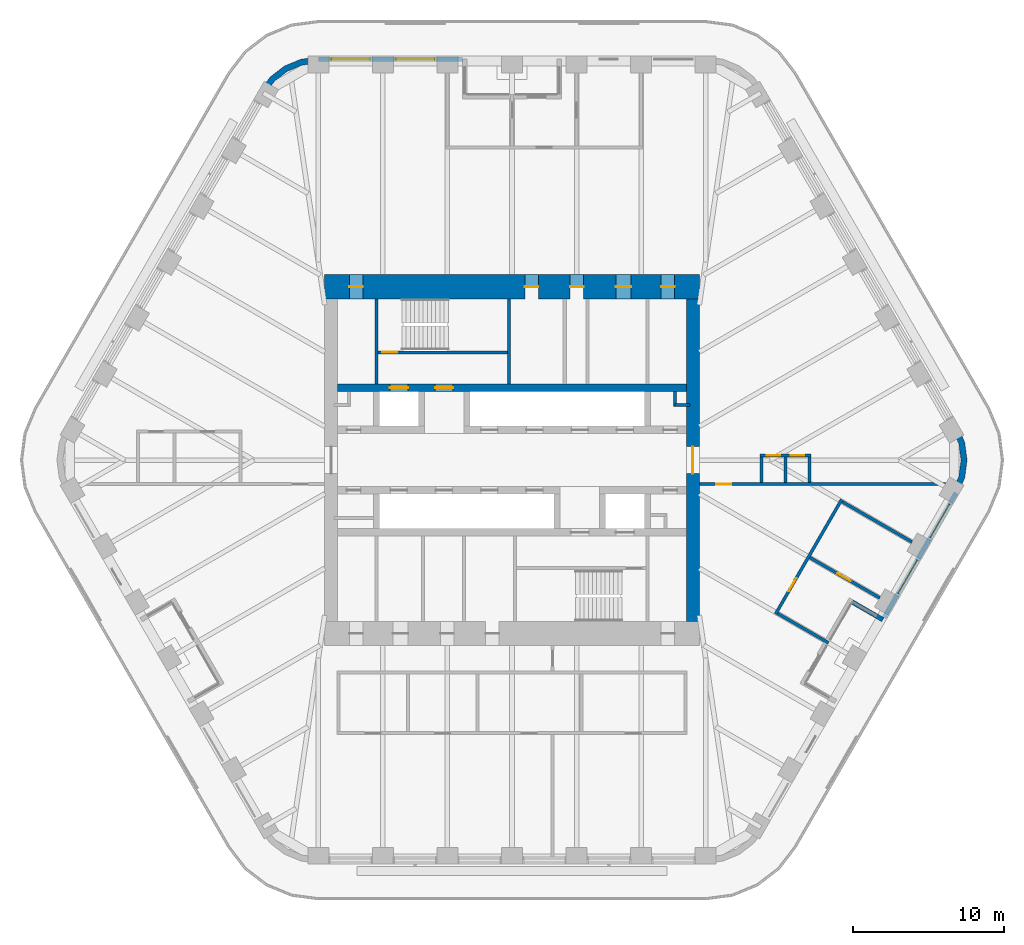
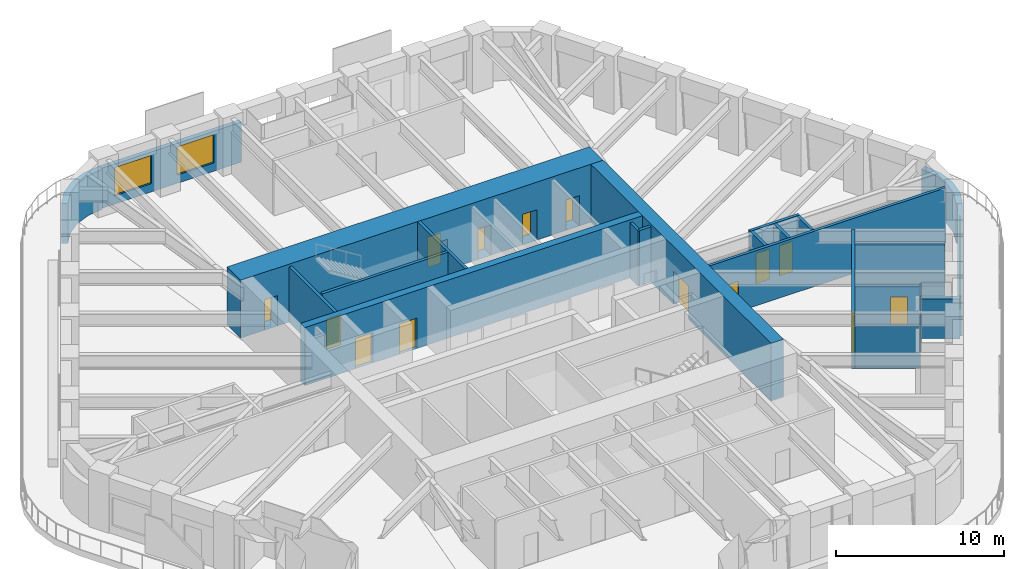
# One storey, part 15 of 19: 22 walls, 14 doors, 4 windows, 18 openings.
"""IFC4 building model written with IfcOpenShell, lengths in metres."""

from ifc_helpers import new_model, si_unit, direction, frame, frame_2d, origin, place, context, subcontext, project, spatial, polyline, rectangle, outline, extrude, material, layer, layer_set, type_object, element, fill, save


model = new_model("IFC4")

# Units and contexts
model_context = context("Model", 3, precision=1e-05, world=origin(), true_north=direction((0.0, 1.0)))
body_context = subcontext(model_context, "Body", "Model", "MODEL_VIEW")
ifc_project = project(units=[si_unit("LENGTHUNIT", "METRE"), si_unit("AREAUNIT", "SQUARE_METRE"), si_unit("VOLUMEUNIT", "CUBIC_METRE"), si_unit("PLANEANGLEUNIT", "RADIAN"), si_unit("MASSUNIT", "GRAM", prefix="KILO")], contexts=[model_context])

# Site, building, storey
site_placement = place(None, origin())
site = spatial("IfcSite", under=ifc_project, at=site_placement, CompositionType="ELEMENT")
building_placement = place(site_placement, origin())
building = spatial("IfcBuilding", under=site, at=building_placement, Name="Tarfa Lantern Tower", CompositionType="ELEMENT")
storey_placement = place(building_placement, frame((0.0, 0.0, 328.300048828125)))
storey = spatial("IfcBuildingStorey", under=building, at=storey_placement, Name="L74", CompositionType="ELEMENT", Elevation=328.300048828125)

# Wall, openings, windows
ifc_material_1 = material(Name="Limestone cladding on blockwork", Category="masonry")
ifc_layer_1 = layer(ifc_material_1, 0.300048828125)
ifc_layer_set_1 = layer_set([ifc_layer_1], Name="EW1 STONE-CLAD WALL 300")
wall_type_1 = type_object("IfcWallType", Name="EW1 STONE-CLAD WALL 300", PredefinedType="SOLIDWALL", material=ifc_layer_set_1)
wall_1_placement = place(storey_placement, frame((-3.281982421875, 26.60009765625, 0.0), z_axis=(0.0, 0.0, 1.0), x_axis=(-1.0, 0.0, 0.0)))
wall_1 = element("IfcWall", 1, at=wall_1_placement, inside=storey, type_object=wall_type_1, Name="Stone wall NB", PredefinedType="SOLIDWALL", context=body_context, shape_type="SweptSolid", body=[
    extrude(rectangle(XDim=9.56396484375, YDim=0.300048828125, at=frame_2d((4.781982421875, 0.0))), origin(), (0.0, 0.0, 1.0), 2.89990234375),
])
opening_1_placement = place(wall_1_placement, frame((1.865966796875, 0.0, 0.60009765625)))
opening_1 = element("IfcOpeningElement", 2, at=opening_1_placement, cuts=wall_1, Name="Opening W17", PredefinedType="OPENING", context=body_context, shape_type="SweptSolid", body=[
    extrude(rectangle(XDim=2.550048828125, YDim=2.050048828125, at=frame_2d((1.27490234375, 1.02490234375))), frame((0.0, 0.159912109375, 0.0), z_axis=(0.0, -1.0, 0.0), x_axis=(1.0, 0.0, 0.0)), (0.0, 0.0, 1.0), 0.320068359375),
])
opening_2_placement = place(wall_1_placement, frame((6.14794921875, 0.0, 0.60009765625)))
opening_2 = element("IfcOpeningElement", 3, at=opening_2_placement, cuts=wall_1, Name="Opening W17", PredefinedType="OPENING", context=body_context, shape_type="SweptSolid", body=[
    extrude(rectangle(XDim=2.550048828125, YDim=2.050048828125, at=frame_2d((1.27490234375, 1.02490234375))), frame((0.0, 0.159912109375, 0.0), z_axis=(0.0, -1.0, 0.0), x_axis=(1.0, 0.0, 0.0)), (0.0, 0.0, 1.0), 0.320068359375),
])
ifc_material_2 = material(Name="Aluminium frame, double glazed", Category="aluminium")
window_type = type_object("IfcWindowType", Name="W17 FULL-HEIGHT GLAZING 2550x2050", PartitioningType="SINGLE_PANEL", PredefinedType="WINDOW", material=ifc_material_2)
window_1_placement = place(opening_1_placement, origin())
window_1 = element("IfcWindow", 4, at=window_1_placement, inside=storey, type_object=window_type, Name="Window NB 1", OverallHeight=2.050048828125, OverallWidth=2.550048828125, PartitioningType="SINGLE_PANEL", PredefinedType="WINDOW", context=body_context, shape_type="SweptSolid", body=[
    extrude(rectangle(XDim=2.550048828125, YDim=2.050048828125, at=frame_2d((1.27490234375, 1.02490234375))), frame((0.0, 0.030029296875, 0.0), z_axis=(0.0, -1.0, 0.0), x_axis=(1.0, 0.0, 0.0)), (0.0, 0.0, 1.0), 0.06005859375),
])
fill(opening_1, window_1)
window_2_placement = place(opening_2_placement, origin())
window_2 = element("IfcWindow", 5, at=window_2_placement, inside=storey, type_object=window_type, Name="Window NB 2", OverallHeight=2.050048828125, OverallWidth=2.550048828125, PartitioningType="SINGLE_PANEL", PredefinedType="WINDOW", context=body_context, shape_type="SweptSolid", body=[
    extrude(rectangle(XDim=2.550048828125, YDim=2.050048828125, at=frame_2d((1.27490234375, 1.02490234375))), frame((0.0, 0.030029296875, 0.0), z_axis=(0.0, -1.0, 0.0), x_axis=(1.0, 0.0, 0.0)), (0.0, 0.0, 1.0), 0.06005859375),
])
fill(opening_2, window_2)

wall_2_placement = place(storey_placement, frame((24.67724609375, -10.457763671875, 0.0), z_axis=(0.0, 0.0, 1.0), x_axis=(0.499996453679, 0.866027451244, 0.0)))
wall_2 = element("IfcWall", 6, at=wall_2_placement, inside=storey, type_object=wall_type_1, Name="Stone wall SEB", PredefinedType="SOLIDWALL", context=body_context, shape_type="SweptSolid", body=[
    extrude(rectangle(XDim=9.56396484375, YDim=0.300048828125, at=frame_2d((4.781982421875, 0.0))), origin(), (0.0, 0.0, 1.0), 2.89990234375),
])
opening_3_placement = place(wall_2_placement, frame((1.865966796875, 0.0, 0.60009765625)))
opening_3 = element("IfcOpeningElement", 7, at=opening_3_placement, cuts=wall_2, Name="Opening W17", PredefinedType="OPENING", context=body_context, shape_type="SweptSolid", body=[
    extrude(rectangle(XDim=2.550048828125, YDim=2.050048828125, at=frame_2d((1.27490234375, 1.02490234375))), frame((0.0, 0.159912109375, 0.0), z_axis=(0.0, -1.0, 0.0), x_axis=(1.0, 0.0, 0.0)), (0.0, 0.0, 1.0), 0.320068359375),
])
opening_4_placement = place(wall_2_placement, frame((6.14794921875, 0.0, 0.60009765625)))
opening_4 = element("IfcOpeningElement", 8, at=opening_4_placement, cuts=wall_2, Name="Opening W17", PredefinedType="OPENING", context=body_context, shape_type="SweptSolid", body=[
    extrude(rectangle(XDim=2.550048828125, YDim=2.050048828125, at=frame_2d((1.27490234375, 1.02490234375))), frame((0.0, 0.159912109375, 0.0), z_axis=(0.0, -1.0, 0.0), x_axis=(1.0, 0.0, 0.0)), (0.0, 0.0, 1.0), 0.320068359375),
])
window_3_placement = place(opening_3_placement, origin())
window_3 = element("IfcWindow", 9, at=window_3_placement, inside=storey, type_object=window_type, Name="Window SEB 1", OverallHeight=2.050048828125, OverallWidth=2.550048828125, PartitioningType="SINGLE_PANEL", PredefinedType="WINDOW", context=body_context, shape_type="SweptSolid", body=[
    extrude(rectangle(XDim=2.550048828125, YDim=2.050048828125, at=frame_2d((1.27490234375, 1.02490234375))), frame((0.0, 0.030029296875, 0.0), z_axis=(0.0, -1.0, 0.0), x_axis=(1.0, 0.0, 0.0)), (0.0, 0.0, 1.0), 0.06005859375),
])
fill(opening_3, window_3)
window_4_placement = place(opening_4_placement, origin())
window_4 = element("IfcWindow", 10, at=window_4_placement, inside=storey, type_object=window_type, Name="Window SEB 2", OverallHeight=2.050048828125, OverallWidth=2.550048828125, PartitioningType="SINGLE_PANEL", PredefinedType="WINDOW", context=body_context, shape_type="SweptSolid", body=[
    extrude(rectangle(XDim=2.550048828125, YDim=2.050048828125, at=frame_2d((1.27490234375, 1.02490234375))), frame((0.0, 0.030029296875, 0.0), z_axis=(0.0, -1.0, 0.0), x_axis=(1.0, 0.0, 0.0)), (0.0, 0.0, 1.0), 0.06005859375),
])
fill(opening_4, window_4)

# Walls
wall_3_placement = place(storey_placement, frame((24.602294921875, -10.587646484375, 0.0), z_axis=(0.0, 0.0, 1.0), x_axis=(-0.866016039709, 0.500016218704, 0.0)))
element("IfcWall", 11, at=wall_3_placement, inside=storey, type_object=wall_type_1, Name="Terrace return SE 2", PredefinedType="SOLIDWALL", context=body_context, shape_type="SweptSolid", body=[
    extrude(rectangle(XDim=2.35009765625, YDim=0.300048828125, at=frame_2d((1.175048828125, 0.0))), origin(), (0.0, 0.0, 1.0), 2.89990234375),
])
ifc_layer_2 = layer(ifc_material_1, 0.39990234375)
ifc_layer_set_2 = layer_set([ifc_layer_2], Name="EW2 CURVED STONE CORNER 400")
wall_type_2 = type_object("IfcWallType", Name="EW2 CURVED STONE CORNER 400", PredefinedType="SOLIDWALL", material=ifc_layer_set_2)
wall_4_placement = place(storey_placement, origin())
element("IfcWall", 12, at=wall_4_placement, inside=storey, type_object=wall_type_2, Name="Stone corner N-NW", PredefinedType="SOLIDWALL", context=body_context, shape_type="SweptSolid", body=[
    extrude(outline(polyline([(-12.845947265625, 26.75), (-14.0107421875, 26.5966796875), (-15.095947265625, 26.147216796875), (-16.028076171875, 25.431884765625), (-16.7431640625, 24.5), (-16.396728515625, 24.300048828125), (-15.7451171875, 25.149169921875), (-14.89599609375, 25.80078125), (-13.9072265625, 26.210205078125), (-12.845947265625, 26.35009765625), (-12.845947265625, 26.75)])), origin(), (0.0, 0.0, 1.0), 2.89990234375),
])
wall_5_placement = place(storey_placement, origin())
element("IfcWall", 13, at=wall_5_placement, inside=storey, type_object=wall_type_2, Name="Stone corner SE-NE", PredefinedType="SOLIDWALL", context=body_context, shape_type="SweptSolid", body=[
    extrude(outline(polyline([(29.589111328125, -2.25), (30.038818359375, -1.164794921875), (30.192138671875, 0.0), (30.038818359375, 1.164794921875), (29.589111328125, 2.25), (29.24267578125, 2.050048828125), (29.65234375, 1.061279296875), (29.7919921875, 0.0), (29.65234375, -1.061279296875), (29.24267578125, -2.050048828125), (29.589111328125, -2.25)])), origin(), (0.0, 0.0, 1.0), 2.89990234375),
])
ifc_material_3 = material(Name="Concrete blockwork", Category="masonry")
ifc_layer_3 = layer(ifc_material_3, 0.199951171875)
ifc_layer_set_3 = layer_set([ifc_layer_3], Name="IW1 BLOCKWORK PARTITION 200 EI 120")
wall_type_3 = type_object("IfcWallType", Name="IW1 BLOCKWORK PARTITION 200 EI 120", PredefinedType="PARTITIONING", material=ifc_layer_set_3)
wall_6_placement = place(storey_placement, frame((-9.0, 5.050048828125, 0.0), z_axis=(0.0, 0.0, 1.0), x_axis=(0.0, 1.0, 0.0)))
element("IfcWall", 14, at=wall_6_placement, inside=storey, type_object=wall_type_3, Name="Core partition", PredefinedType="PARTITIONING", context=body_context, shape_type="SweptSolid", body=[
    extrude(rectangle(XDim=5.64990234375, YDim=0.199951171875, at=frame_2d((2.824951171875, 0.0))), origin(), (0.0, 0.0, 1.0), 4.0),
])
for number, where, z_axis, x_axis, name in (
    (15, (10.800048828125, 3.64990234375, 0.0), (0.0, 0.0, 1.0), (1.0, 0.0, 0.0), "Core partition"),
    (16, (10.800048828125, 3.550048828125, 0.0), (0.0, 0.0, 1.0), (0.0, 1.0, 0.0), "Core partition"),
):
    element("IfcWall", number, at=place(storey_placement, frame(where, z_axis=z_axis, x_axis=x_axis)), inside=storey, type_object=wall_type_3, Name=name, PredefinedType="PARTITIONING", context=body_context, shape_type="SweptSolid", body=[
        extrude(rectangle(XDim=1.0, YDim=0.199951171875, at=frame_2d((0.5, 0.0))), origin(), (0.0, 0.0, 1.0), 4.0),
    ])

# Wall, opening, door
ifc_material_4 = material(Name="Gypsum board on steel studs", Category="steel")
ifc_layer_4 = layer(ifc_material_4, 0.2099609375)
ifc_layer_set_4 = layer_set([ifc_layer_4], Name="IW2 ACOUSTIC PARTITION 200")
wall_type_4 = type_object("IfcWallType", Name="IW2 ACOUSTIC PARTITION 200", PredefinedType="PARTITIONING", material=ifc_layer_set_4)
wall_7_placement = place(storey_placement, frame((17.487060546875, -10.211669921875, 0.0), z_axis=(0.0, 0.0, 1.0), x_axis=(0.500006995557, 0.86602136486, 0.0)))
wall_7 = element("IfcWall", 17, at=wall_7_placement, inside=storey, type_object=wall_type_4, Name="Partition", PredefinedType="PARTITIONING", context=body_context, shape_type="SweptSolid", body=[
    extrude(rectangle(XDim=8.763916015625, YDim=0.199951171875, at=frame_2d((4.3818359375, 0.0))), origin(), (0.0, 0.0, 1.0), 4.0),
])
opening_5_placement = place(wall_7_placement, frame((1.740966796875, 0.0, 0.0)))
opening_5 = element("IfcOpeningElement", 18, at=opening_5_placement, cuts=wall_7, Name="Opening D24", PredefinedType="OPENING", context=body_context, shape_type="SweptSolid", body=[
    extrude(rectangle(XDim=1.0, YDim=2.199951171875, at=frame_2d((0.5, 1.10009765625))), frame((0.0, 0.10986328125, 0.0), z_axis=(0.0, -1.0, 0.0), x_axis=(1.0, 0.0, 0.0)), (0.0, 0.0, 1.0), 0.219970703125),
])
ifc_material_5 = material(Name="Timber door", Category="wood")
door_type_1 = type_object("IfcDoorType", Name="DR1 ROOM DOOR 1000x2200", OperationType="SINGLE_SWING_LEFT", PredefinedType="DOOR", material=ifc_material_5)
door_1_placement = place(opening_5_placement, frame((1.0, 0.0, 0.0), z_axis=(0.0, 0.0, 1.0), x_axis=(-1.0, 0.0, 0.0)))
door_1 = element("IfcDoor", 19, at=door_1_placement, inside=storey, type_object=door_type_1, Name="PA area door", OperationType="SINGLE_SWING_LEFT", OverallHeight=2.199951171875, OverallWidth=1.0, PredefinedType="DOOR", context=body_context, shape_type="SweptSolid", body=[
    extrude(rectangle(XDim=1.0, YDim=2.199951171875, at=frame_2d((0.5, 1.10009765625))), frame((0.0, 0.02490234375, 0.0), z_axis=(0.0, -1.0, 0.0), x_axis=(1.0, 0.0, 0.0)), (0.0, 0.0, 1.0), 0.050048828125),
])
fill(opening_5, door_1)

# Wall
wall_8_placement = place(storey_placement, frame((17.62353515625, -10.175048828125, 0.0), z_axis=(0.0, 0.0, 1.0), x_axis=(0.86603551244, -0.499982490886, 0.0)))
element("IfcWall", 20, at=wall_8_placement, inside=storey, type_object=wall_type_4, Name="Partition", PredefinedType="PARTITIONING", context=body_context, shape_type="SweptSolid", body=[
    extrude(rectangle(XDim=3.901123046875, YDim=0.199951171875, at=frame_2d((1.95068359375, 0.0))), origin(), (0.0, 0.0, 1.0), 3.08154296875),
])

# Wall, opening, door
wall_9_placement = place(storey_placement, frame((19.7646484375, -6.466552734375, 0.0), z_axis=(0.0, 0.0, 1.0), x_axis=(0.866024483152, -0.500001594578, 0.0)))
wall_9 = element("IfcWall", 21, at=wall_9_placement, inside=storey, type_object=wall_type_4, Name="Partition", PredefinedType="PARTITIONING", context=body_context, shape_type="SweptSolid", body=[
    extrude(rectangle(XDim=5.35009765625, YDim=0.199951171875, at=frame_2d((2.675048828125, 0.0))), origin(), (0.0, 0.0, 1.0), 2.991943359375),
])
opening_6_placement = place(wall_9_placement, frame((2.125, 0.0, 0.0)))
opening_6 = element("IfcOpeningElement", 22, at=opening_6_placement, cuts=wall_9, Name="Opening D25", PredefinedType="OPENING", context=body_context, shape_type="SweptSolid", body=[
    extrude(rectangle(XDim=1.0, YDim=2.199951171875, at=frame_2d((0.5, 1.10009765625))), frame((0.0, 0.10986328125, 0.0), z_axis=(0.0, -1.0, 0.0), x_axis=(1.0, 0.0, 0.0)), (0.0, 0.0, 1.0), 0.219970703125),
])
door_2_placement = place(opening_6_placement, frame((1.0, 0.0, 0.0), z_axis=(0.0, 0.0, 1.0), x_axis=(-1.0, 0.0, 0.0)))
door_2 = element("IfcDoor", 23, at=door_2_placement, inside=storey, type_object=door_type_1, Name="Executive office door", OperationType="SINGLE_SWING_LEFT", OverallHeight=2.199951171875, OverallWidth=1.0, PredefinedType="DOOR", context=body_context, shape_type="SweptSolid", body=[
    extrude(rectangle(XDim=1.0, YDim=2.199951171875, at=frame_2d((0.5, 1.10009765625))), frame((0.0, 0.02490234375, 0.0), z_axis=(0.0, -1.0, 0.0), x_axis=(1.0, 0.0, 0.0)), (0.0, 0.0, 1.0), 0.050048828125),
])
fill(opening_6, door_2)

# Wall
wall_10_placement = place(storey_placement, frame((21.905517578125, -2.75830078125, 0.0), z_axis=(0.0, 0.0, 1.0), x_axis=(0.866024483152, -0.500001594578, 0.0)))
element("IfcWall", 24, at=wall_10_placement, inside=storey, type_object=wall_type_4, Name="Partition", PredefinedType="PARTITIONING", context=body_context, shape_type="SweptSolid", body=[
    extrude(rectangle(XDim=5.35009765625, YDim=0.199951171875, at=frame_2d((2.675048828125, 0.0))), origin(), (0.0, 0.0, 1.0), 3.08154296875),
])

# Wall, opening, door
wall_11_placement = place(storey_placement, frame((12.425048828125, -1.60009765625, 0.0), z_axis=(0.0, 0.0, 1.0), x_axis=(1.0, 0.0, 0.0)))
wall_11 = element("IfcWall", 25, at=wall_11_placement, inside=storey, type_object=wall_type_4, Name="Partition", PredefinedType="PARTITIONING", context=body_context, shape_type="SweptSolid", body=[
    extrude(rectangle(XDim=16.326904296875, YDim=0.199951171875, at=frame_2d((8.16357421875, 0.0))), origin(), (0.0, 0.0, 1.0), 4.0),
])
opening_7_placement = place(wall_11_placement, frame((1.1328125, 0.0, 0.0)))
opening_7 = element("IfcOpeningElement", 26, at=opening_7_placement, cuts=wall_11, Name="Opening D34", PredefinedType="OPENING", context=body_context, shape_type="SweptSolid", body=[
    extrude(rectangle(XDim=1.0, YDim=2.199951171875, at=frame_2d((0.5, 1.10009765625))), frame((0.0, 0.10986328125, 0.0), z_axis=(0.0, -1.0, 0.0), x_axis=(1.0, 0.0, 0.0)), (0.0, 0.0, 1.0), 0.219970703125),
])
door_3_placement = place(opening_7_placement, frame((1.0, 0.0, 0.0), z_axis=(0.0, 0.0, 1.0), x_axis=(-1.0, 0.0, 0.0)))
door_3 = element("IfcDoor", 27, at=door_3_placement, inside=storey, type_object=door_type_1, Name="Zone door", OperationType="SINGLE_SWING_LEFT", OverallHeight=2.199951171875, OverallWidth=1.0, PredefinedType="DOOR", context=body_context, shape_type="SweptSolid", body=[
    extrude(rectangle(XDim=1.0, YDim=2.199951171875, at=frame_2d((0.5, 1.10009765625))), frame((0.0, 0.02490234375, 0.0), z_axis=(0.0, -1.0, 0.0), x_axis=(1.0, 0.0, 0.0)), (0.0, 0.0, 1.0), 0.050048828125),
])
fill(opening_7, door_3)

# Wall, openings, doors
wall_12_placement = place(storey_placement, frame((16.439453125, 0.300048828125, 0.0), z_axis=(0.0, 0.0, 1.0), x_axis=(1.0, 0.0, 0.0)))
wall_12 = element("IfcWall", 28, at=wall_12_placement, inside=storey, type_object=wall_type_4, Name="Partition", PredefinedType="PARTITIONING", context=body_context, shape_type="SweptSolid", body=[
    extrude(rectangle(XDim=3.39990234375, YDim=0.199951171875, at=frame_2d((1.699951171875, 0.0))), origin(), (0.0, 0.0, 1.0), 4.0),
])
opening_8_placement = place(wall_12_placement, frame((0.449951171875, 0.0, 0.0)))
opening_8 = element("IfcOpeningElement", 29, at=opening_8_placement, cuts=wall_12, Name="Opening D32", PredefinedType="OPENING", context=body_context, shape_type="SweptSolid", body=[
    extrude(rectangle(XDim=0.89990234375, YDim=2.199951171875, at=frame_2d((0.449951171875, 1.10009765625))), frame((0.0, 0.10986328125, 0.0), z_axis=(0.0, -1.0, 0.0), x_axis=(1.0, 0.0, 0.0)), (0.0, 0.0, 1.0), 0.219970703125),
])
opening_9_placement = place(wall_12_placement, frame((2.050048828125, 0.0, 0.0)))
opening_9 = element("IfcOpeningElement", 30, at=opening_9_placement, cuts=wall_12, Name="Opening D33", PredefinedType="OPENING", context=body_context, shape_type="SweptSolid", body=[
    extrude(rectangle(XDim=0.89990234375, YDim=2.199951171875, at=frame_2d((0.449951171875, 1.10009765625))), frame((0.0, 0.10986328125, 0.0), z_axis=(0.0, -1.0, 0.0), x_axis=(1.0, 0.0, 0.0)), (0.0, 0.0, 1.0), 0.219970703125),
])
door_type_2 = type_object("IfcDoorType", Name="DR3 ROOM DOOR 900x2200", OperationType="SINGLE_SWING_LEFT", PredefinedType="DOOR", material=ifc_material_5)
door_4_placement = place(opening_8_placement, frame((0.89990234375, 0.0, 0.0), z_axis=(0.0, 0.0, 1.0), x_axis=(-1.0, 0.0, 0.0)))
door_4 = element("IfcDoor", 31, at=door_4_placement, inside=storey, type_object=door_type_2, Name="Phone booth door", OperationType="SINGLE_SWING_LEFT", OverallHeight=2.199951171875, OverallWidth=0.89990234375, PredefinedType="DOOR", context=body_context, shape_type="SweptSolid", body=[
    extrude(rectangle(XDim=0.89990234375, YDim=2.199951171875, at=frame_2d((0.449951171875, 1.10009765625))), frame((0.0, 0.02490234375, 0.0), z_axis=(0.0, -1.0, 0.0), x_axis=(1.0, 0.0, 0.0)), (0.0, 0.0, 1.0), 0.050048828125),
])
fill(opening_8, door_4)
door_5_placement = place(opening_9_placement, frame((0.89990234375, 0.0, 0.0), z_axis=(0.0, 0.0, 1.0), x_axis=(-1.0, 0.0, 0.0)))
door_5 = element("IfcDoor", 32, at=door_5_placement, inside=storey, type_object=door_type_2, Name="Phone booth door", OperationType="SINGLE_SWING_RIGHT", OverallHeight=2.199951171875, OverallWidth=0.89990234375, PredefinedType="DOOR", context=body_context, shape_type="SweptSolid", body=[
    extrude(rectangle(XDim=0.89990234375, YDim=2.199951171875, at=frame_2d((0.449951171875, 1.10009765625))), frame((0.0, 0.02490234375, 0.0), z_axis=(0.0, -1.0, 0.0), x_axis=(1.0, 0.0, 0.0)), (0.0, 0.0, 1.0), 0.050048828125),
])
fill(opening_9, door_5)

# Walls
for number, where, z_axis, x_axis, name in (
    (33, (16.53955078125, -1.5, 0.0), (0.0, 0.0, 1.0), (0.0, 1.0, 0.0), "Partition"),
    (34, (18.139404296875, -1.5, 0.0), (0.0, 0.0, 1.0), (0.0, 1.0, 0.0), "Partition"),
    (35, (19.739501953125, -1.5, 0.0), (0.0, 0.0, 1.0), (0.0, 1.0, 0.0), "Partition"),
):
    element("IfcWall", number, at=place(storey_placement, frame(where, z_axis=z_axis, x_axis=x_axis)), inside=storey, type_object=wall_type_4, Name=name, PredefinedType="PARTITIONING", context=body_context, shape_type="SweptSolid", body=[
        extrude(rectangle(XDim=1.699951171875, YDim=0.199951171875, at=frame_2d((0.85009765625, 0.0))), origin(), (0.0, 0.0, 1.0), 4.0),
    ])
ifc_material_6 = material(Name="Concrete C80/95", Category="concrete")
ifc_layer_5 = layer(ifc_material_6, 0.199951171875)
ifc_layer_set_5 = layer_set([ifc_layer_5], Name="SW12 CORE WALL 200")
wall_type_5 = type_object("IfcWallType", Name="SW12 CORE WALL 200", PredefinedType="SHEAR", material=ifc_layer_set_5)
wall_13_placement = place(storey_placement, frame((-0.199951171875, 5.050048828125, 0.0), z_axis=(0.0, 0.0, 1.0), x_axis=(0.0, 1.0, 0.0)))
element("IfcWall", 36, at=wall_13_placement, inside=storey, type_object=wall_type_5, Name="Core wall stair shaft N", PredefinedType="SHEAR", context=body_context, shape_type="SweptSolid", body=[
    extrude(rectangle(XDim=5.64990234375, YDim=0.199951171875, at=frame_2d((2.824951171875, 0.0))), origin(), (0.0, 0.0, 1.0), 4.199951171875),
])

# Wall, opening, door
wall_14_placement = place(storey_placement, frame((-8.89990234375, 7.14990234375, 0.0), z_axis=(0.0, 0.0, 1.0), x_axis=(1.0, 0.0, 0.0)))
wall_14 = element("IfcWall", 37, at=wall_14_placement, inside=storey, type_object=wall_type_5, Name="Core wall stair partition N", PredefinedType="SHEAR", context=body_context, shape_type="SweptSolid", body=[
    extrude(rectangle(XDim=8.599853515625, YDim=0.199951171875, at=frame_2d((4.2998046875, 0.0))), origin(), (0.0, 0.0, 1.0), 4.199951171875),
])
opening_10_placement = place(wall_14_placement, frame((0.300048828125, 0.0, 0.0)))
opening_10 = element("IfcOpeningElement", 38, at=opening_10_placement, cuts=wall_14, Name="Opening D19", PredefinedType="OPENING", context=body_context, shape_type="SweptSolid", body=[
    extrude(rectangle(XDim=1.0, YDim=2.199951171875, at=frame_2d((0.5, 1.10009765625))), frame((0.0, 0.10986328125, 0.0), z_axis=(0.0, -1.0, 0.0), x_axis=(1.0, 0.0, 0.0)), (0.0, 0.0, 1.0), 0.219970703125),
])
ifc_material_7 = material(Name="Steel fire door", Category="steel")
door_type_3 = type_object("IfcDoorType", Name="DF2 STAIR DOOR 1000x2200", OperationType="SINGLE_SWING_LEFT", PredefinedType="DOOR", material=ifc_material_7)
door_6_placement = place(opening_10_placement, origin())
door_6 = element("IfcDoor", 39, at=door_6_placement, inside=storey, type_object=door_type_3, Name="Stair door", OperationType="SINGLE_SWING_RIGHT", OverallHeight=2.199951171875, OverallWidth=1.0, PredefinedType="DOOR", context=body_context, shape_type="SweptSolid", body=[
    extrude(rectangle(XDim=1.0, YDim=2.199951171875, at=frame_2d((0.5, 1.10009765625))), frame((0.0, 0.02490234375, 0.0), z_axis=(0.0, -1.0, 0.0), x_axis=(1.0, 0.0, 0.0)), (0.0, 0.0, 1.0), 0.050048828125),
])
fill(opening_10, door_6)

ifc_layer_6 = layer(ifc_material_6, 0.85009765625)
ifc_layer_set_6 = layer_set([ifc_layer_6], Name="SW3 CORE WALL 850")
wall_type_6 = type_object("IfcWallType", Name="SW3 CORE WALL 850", PredefinedType="SHEAR", material=ifc_layer_set_6)
wall_15_placement = place(storey_placement, frame((12.0, -10.699951171875, 0.0), z_axis=(0.0, 0.0, 1.0), x_axis=(0.0, 1.0, 0.0)))
wall_15 = element("IfcWall", 40, at=wall_15_placement, inside=storey, type_object=wall_type_6, Name="Core wall E", PredefinedType="SHEAR", context=body_context, shape_type="SweptSolid", body=[
    extrude(rectangle(XDim=21.39990234375, YDim=0.85009765625, at=frame_2d((10.699951171875, 0.0))), origin(), (0.0, 0.0, 1.0), 4.199951171875),
])
opening_11_placement = place(wall_15_placement, frame((9.800048828125, 0.0, 0.0)))
opening_11 = element("IfcOpeningElement", 41, at=opening_11_placement, cuts=wall_15, Name="Opening D07", PredefinedType="OPENING", context=body_context, shape_type="SweptSolid", body=[
    extrude(rectangle(XDim=1.800048828125, YDim=2.39990234375, at=frame_2d((0.89990234375, 1.199951171875))), frame((0.0, 0.43505859375, 0.0), z_axis=(0.0, -1.0, 0.0), x_axis=(1.0, 0.0, 0.0)), (0.0, 0.0, 1.0), 0.8701171875),
])
door_type_4 = type_object("IfcDoorType", Name="DL1 LOBBY DOOR 1800x2400", OperationType="DOUBLE_DOOR_SINGLE_SWING", PredefinedType="DOOR", material=ifc_material_7)
door_7_placement = place(opening_11_placement, frame((1.800048828125, 0.0, 0.0), z_axis=(0.0, 0.0, 1.0), x_axis=(-1.0, 0.0, 0.0)))
door_7 = element("IfcDoor", 42, at=door_7_placement, inside=storey, type_object=door_type_4, Name="Lift lobby door", OperationType="DOUBLE_DOOR_SINGLE_SWING", OverallHeight=2.39990234375, OverallWidth=1.800048828125, PredefinedType="DOOR", context=body_context, shape_type="SweptSolid", body=[
    extrude(rectangle(XDim=1.800048828125, YDim=2.39990234375, at=frame_2d((0.89990234375, 1.199951171875))), frame((0.0, 0.02490234375, 0.0), z_axis=(0.0, -1.0, 0.0), x_axis=(1.0, 0.0, 0.0)), (0.0, 0.0, 1.0), 0.050048828125),
])
fill(opening_11, door_7)

# Wall, openings, doors
ifc_layer_7 = layer(ifc_material_6, 0.5)
ifc_layer_set_7 = layer_set([ifc_layer_7], Name="SW5 CORE WALL 500")
wall_type_7 = type_object("IfcWallType", Name="SW5 CORE WALL 500", PredefinedType="SHEAR", material=ifc_layer_set_7)
wall_16_placement = place(storey_placement, frame((-11.574951171875, 4.800048828125, 0.0), z_axis=(0.0, 0.0, 1.0), x_axis=(1.0, 0.0, 0.0)))
wall_16 = element("IfcWall", 43, at=wall_16_placement, inside=storey, type_object=wall_type_7, Name="Core wall rear N", PredefinedType="SHEAR", context=body_context, shape_type="SweptSolid", body=[
    extrude(rectangle(XDim=23.14990234375, YDim=0.5, at=frame_2d((11.574951171875, 0.0))), origin(), (0.0, 0.0, 1.0), 4.199951171875),
])
opening_12_placement = place(wall_16_placement, frame((6.47509765625, 0.0, 0.0)))
opening_12 = element("IfcOpeningElement", 44, at=opening_12_placement, cuts=wall_16, Name="Opening D05", PredefinedType="OPENING", context=body_context, shape_type="SweptSolid", body=[
    extrude(rectangle(XDim=1.199951171875, YDim=2.199951171875, at=frame_2d((0.60009765625, 1.10009765625))), frame((0.0, 0.260009765625, 0.0), z_axis=(0.0, -1.0, 0.0), x_axis=(1.0, 0.0, 0.0)), (0.0, 0.0, 1.0), 0.52001953125),
])
opening_13_placement = place(wall_16_placement, frame((3.47509765625, 0.0, 0.0)))
opening_13 = element("IfcOpeningElement", 45, at=opening_13_placement, cuts=wall_16, Name="Opening LD01", PredefinedType="OPENING", context=body_context, shape_type="SweptSolid", body=[
    extrude(rectangle(XDim=1.199951171875, YDim=2.199951171875, at=frame_2d((0.60009765625, 1.10009765625))), frame((0.0, 0.260009765625, 0.0), z_axis=(0.0, -1.0, 0.0), x_axis=(1.0, 0.0, 0.0)), (0.0, 0.0, 1.0), 0.52001953125),
])
door_type_5 = type_object("IfcDoorType", Name="DF1 FIREFIGHTING LOBBY DOOR 1200x2200", OperationType="SINGLE_SWING_LEFT", PredefinedType="DOOR", material=ifc_material_7)
door_8_placement = place(opening_12_placement, origin())
door_8 = element("IfcDoor", 46, at=door_8_placement, inside=storey, type_object=door_type_5, Name="Firefighting lobby door", OperationType="SINGLE_SWING_LEFT", OverallHeight=2.199951171875, OverallWidth=1.199951171875, PredefinedType="DOOR", context=body_context, shape_type="SweptSolid", body=[
    extrude(rectangle(XDim=1.199951171875, YDim=2.199951171875, at=frame_2d((0.60009765625, 1.10009765625))), frame((0.0, 0.02490234375, 0.0), z_axis=(0.0, -1.0, 0.0), x_axis=(1.0, 0.0, 0.0)), (0.0, 0.0, 1.0), 0.050048828125),
])
fill(opening_12, door_8)
ifc_material_8 = material(Name="Stainless steel lift door", Category="steel")
door_type_6 = type_object("IfcDoorType", Name="LD1 LIFT LANDING DOOR 1200x2200", OperationType="SLIDING_TO_LEFT", PredefinedType="DOOR", material=ifc_material_8)
door_9_placement = place(opening_13_placement, origin())
door_9 = element("IfcDoor", 47, at=door_9_placement, inside=storey, type_object=door_type_6, Name="Landing door FL1", OperationType="SLIDING_TO_LEFT", OverallHeight=2.199951171875, OverallWidth=1.199951171875, PredefinedType="DOOR", context=body_context, shape_type="SweptSolid", body=[
    extrude(rectangle(XDim=1.199951171875, YDim=2.199951171875, at=frame_2d((0.60009765625, 1.10009765625))), frame((0.0, 0.02490234375, 0.0), z_axis=(0.0, -1.0, 0.0), x_axis=(1.0, 0.0, 0.0)), (0.0, 0.0, 1.0), 0.050048828125),
])
fill(opening_13, door_9)

ifc_layer_8 = layer(ifc_material_6, 1.60009765625)
ifc_layer_set_8 = layer_set([ifc_layer_8], Name="SW7 CORE WALL 1600")
wall_type_8 = type_object("IfcWallType", Name="SW7 CORE WALL 1600", PredefinedType="SHEAR", material=ifc_layer_set_8)
wall_17_placement = place(storey_placement, frame((-12.425048828125, 11.5, 0.0), z_axis=(0.0, 0.0, 1.0), x_axis=(1.0, 0.0, 0.0)))
wall_17 = element("IfcWall", 48, at=wall_17_placement, inside=storey, type_object=wall_type_8, Name="Core wall N", PredefinedType="SHEAR", context=body_context, shape_type="SweptSolid", body=[
    extrude(rectangle(XDim=24.85009765625, YDim=1.60009765625, at=frame_2d((12.425048828125, 0.0))), origin(), (0.0, 0.0, 1.0), 4.199951171875),
])
opening_14_placement = place(wall_17_placement, frame((13.27490234375, 0.0, 0.0)))
opening_14 = element("IfcOpeningElement", 49, at=opening_14_placement, cuts=wall_17, Name="Opening D13", PredefinedType="OPENING", context=body_context, shape_type="SweptSolid", body=[
    extrude(rectangle(XDim=0.89990234375, YDim=2.199951171875, at=frame_2d((0.449951171875, 1.10009765625))), frame((0.0, 0.81005859375, 0.0), z_axis=(0.0, -1.0, 0.0), x_axis=(1.0, 0.0, 0.0)), (0.0, 0.0, 1.0), 1.6201171875),
])
opening_15_placement = place(wall_17_placement, frame((16.27490234375, 0.0, 0.0)))
opening_15 = element("IfcOpeningElement", 50, at=opening_15_placement, cuts=wall_17, Name="Opening D15", PredefinedType="OPENING", context=body_context, shape_type="SweptSolid", body=[
    extrude(rectangle(XDim=0.89990234375, YDim=2.199951171875, at=frame_2d((0.449951171875, 1.10009765625))), frame((0.0, 0.81005859375, 0.0), z_axis=(0.0, -1.0, 0.0), x_axis=(1.0, 0.0, 0.0)), (0.0, 0.0, 1.0), 1.6201171875),
])
opening_16_placement = place(wall_17_placement, frame((19.324951171875, 0.0, 0.0)))
opening_16 = element("IfcOpeningElement", 51, at=opening_16_placement, cuts=wall_17, Name="Opening D17", PredefinedType="OPENING", context=body_context, shape_type="SweptSolid", body=[
    extrude(rectangle(XDim=1.0, YDim=2.199951171875, at=frame_2d((0.5, 1.10009765625))), frame((0.0, 0.81005859375, 0.0), z_axis=(0.0, -1.0, 0.0), x_axis=(1.0, 0.0, 0.0)), (0.0, 0.0, 1.0), 1.6201171875),
])
opening_17_placement = place(wall_17_placement, frame((1.637451171875, 0.0, 0.0)))
opening_17 = element("IfcOpeningElement", 52, at=opening_17_placement, cuts=wall_17, Name="Opening D03", PredefinedType="OPENING", context=body_context, shape_type="SweptSolid", body=[
    extrude(rectangle(XDim=0.89990234375, YDim=2.199951171875, at=frame_2d((0.449951171875, 1.10009765625))), frame((0.0, 0.81005859375, 0.0), z_axis=(0.0, -1.0, 0.0), x_axis=(1.0, 0.0, 0.0)), (0.0, 0.0, 1.0), 1.6201171875),
])
opening_18_placement = place(wall_17_placement, frame((22.3125, 0.0, 0.0)))
opening_18 = element("IfcOpeningElement", 53, at=opening_18_placement, cuts=wall_17, Name="Opening D01", PredefinedType="OPENING", context=body_context, shape_type="SweptSolid", body=[
    extrude(rectangle(XDim=0.89990234375, YDim=2.199951171875, at=frame_2d((0.449951171875, 1.10009765625))), frame((0.0, 0.81005859375, 0.0), z_axis=(0.0, -1.0, 0.0), x_axis=(1.0, 0.0, 0.0)), (0.0, 0.0, 1.0), 1.6201171875),
])
door_type_7 = type_object("IfcDoorType", Name="DF3 CORE ROOM DOOR 900x2200", OperationType="SINGLE_SWING_LEFT", PredefinedType="DOOR", material=ifc_material_7)
door_10_placement = place(opening_14_placement, frame((0.89990234375, 0.0, 0.0), z_axis=(0.0, 0.0, 1.0), x_axis=(-1.0, 0.0, 0.0)))
door_10 = element("IfcDoor", 54, at=door_10_placement, inside=storey, type_object=door_type_7, Name="Core door", OperationType="SINGLE_SWING_LEFT", OverallHeight=2.199951171875, OverallWidth=0.89990234375, PredefinedType="DOOR", context=body_context, shape_type="SweptSolid", body=[
    extrude(rectangle(XDim=0.89990234375, YDim=2.199951171875, at=frame_2d((0.449951171875, 1.10009765625))), frame((0.0, 0.02490234375, 0.0), z_axis=(0.0, -1.0, 0.0), x_axis=(1.0, 0.0, 0.0)), (0.0, 0.0, 1.0), 0.050048828125),
])
fill(opening_14, door_10)
door_11_placement = place(opening_15_placement, frame((0.89990234375, 0.0, 0.0), z_axis=(0.0, 0.0, 1.0), x_axis=(-1.0, 0.0, 0.0)))
door_11 = element("IfcDoor", 55, at=door_11_placement, inside=storey, type_object=door_type_7, Name="Core door", OperationType="SINGLE_SWING_RIGHT", OverallHeight=2.199951171875, OverallWidth=0.89990234375, PredefinedType="DOOR", context=body_context, shape_type="SweptSolid", body=[
    extrude(rectangle(XDim=0.89990234375, YDim=2.199951171875, at=frame_2d((0.449951171875, 1.10009765625))), frame((0.0, 0.02490234375, 0.0), z_axis=(0.0, -1.0, 0.0), x_axis=(1.0, 0.0, 0.0)), (0.0, 0.0, 1.0), 0.050048828125),
])
fill(opening_15, door_11)
door_type_8 = type_object("IfcDoorType", Name="DF4 CORE ROOM DOOR 1000x2200", OperationType="SINGLE_SWING_LEFT", PredefinedType="DOOR", material=ifc_material_7)
door_12_placement = place(opening_16_placement, frame((1.0, 0.0, 0.0), z_axis=(0.0, 0.0, 1.0), x_axis=(-1.0, 0.0, 0.0)))
door_12 = element("IfcDoor", 56, at=door_12_placement, inside=storey, type_object=door_type_8, Name="Core door", OperationType="SINGLE_SWING_RIGHT", OverallHeight=2.199951171875, OverallWidth=1.0, PredefinedType="DOOR", context=body_context, shape_type="SweptSolid", body=[
    extrude(rectangle(XDim=1.0, YDim=2.199951171875, at=frame_2d((0.5, 1.10009765625))), frame((0.0, 0.02490234375, 0.0), z_axis=(0.0, -1.0, 0.0), x_axis=(1.0, 0.0, 0.0)), (0.0, 0.0, 1.0), 0.050048828125),
])
fill(opening_16, door_12)
door_type_9 = type_object("IfcDoorType", Name="DF5 RISER DOOR 900x2200", OperationType="SINGLE_SWING_LEFT", PredefinedType="DOOR", material=ifc_material_7)
door_13_placement = place(opening_17_placement, frame((0.89990234375, 0.0, 0.0), z_axis=(0.0, 0.0, 1.0), x_axis=(-1.0, 0.0, 0.0)))
door_13 = element("IfcDoor", 57, at=door_13_placement, inside=storey, type_object=door_type_9, Name="Riser door", OperationType="SINGLE_SWING_LEFT", OverallHeight=2.199951171875, OverallWidth=0.89990234375, PredefinedType="DOOR", context=body_context, shape_type="SweptSolid", body=[
    extrude(rectangle(XDim=0.89990234375, YDim=2.199951171875, at=frame_2d((0.449951171875, 1.10009765625))), frame((0.0, 0.02490234375, 0.0), z_axis=(0.0, -1.0, 0.0), x_axis=(1.0, 0.0, 0.0)), (0.0, 0.0, 1.0), 0.050048828125),
])
fill(opening_17, door_13)
door_14_placement = place(opening_18_placement, frame((0.89990234375, 0.0, 0.0), z_axis=(0.0, 0.0, 1.0), x_axis=(-1.0, 0.0, 0.0)))
door_14 = element("IfcDoor", 58, at=door_14_placement, inside=storey, type_object=door_type_9, Name="Riser door", OperationType="SINGLE_SWING_RIGHT", OverallHeight=2.199951171875, OverallWidth=0.89990234375, PredefinedType="DOOR", context=body_context, shape_type="SweptSolid", body=[
    extrude(rectangle(XDim=0.89990234375, YDim=2.199951171875, at=frame_2d((0.449951171875, 1.10009765625))), frame((0.0, 0.02490234375, 0.0), z_axis=(0.0, -1.0, 0.0), x_axis=(1.0, 0.0, 0.0)), (0.0, 0.0, 1.0), 0.050048828125),
])
fill(opening_18, door_14)

save(model, "model.ifc")
